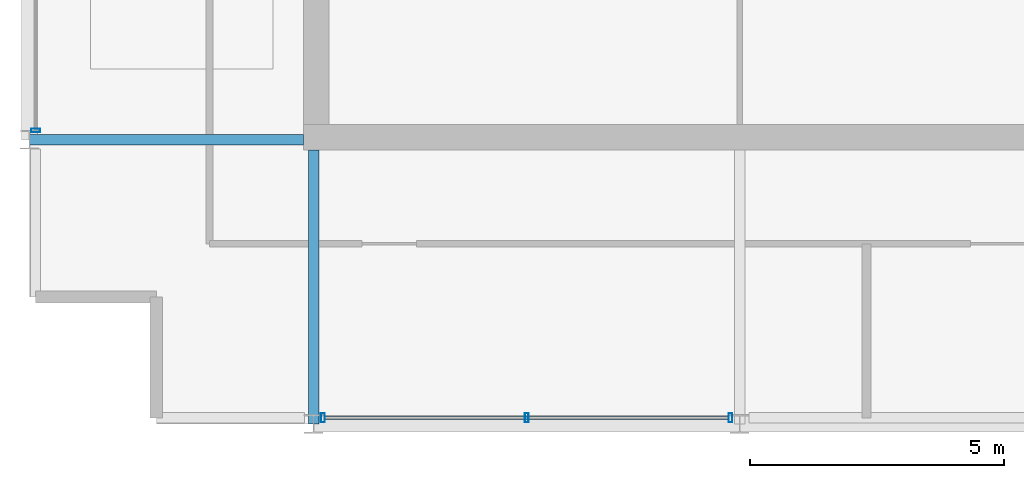
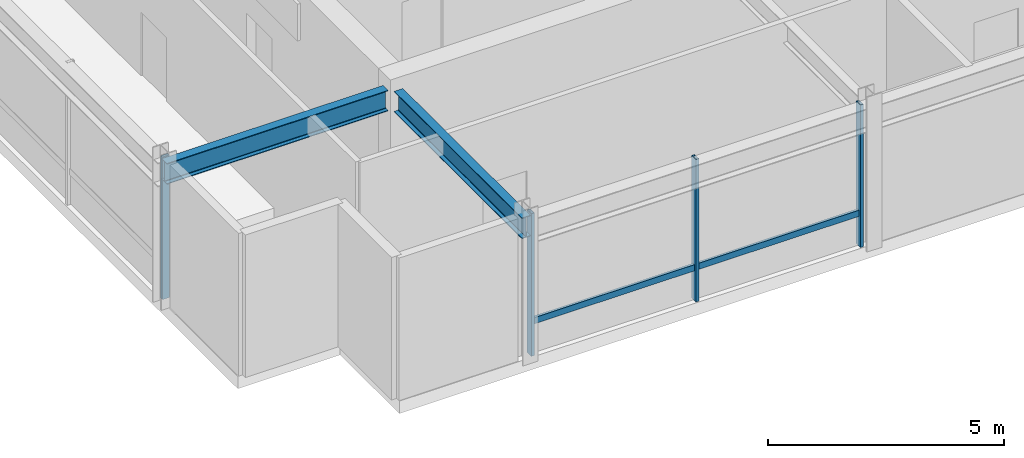
# One storey, part 2 of 12: 5 members, 2 beams, 2 elements without a shape of their own.
"""IFC4 building model written with IfcOpenShell, lengths in metres."""

from ifc_helpers import new_model, si_unit, direction, frame, origin, origin_2d, place, context, subcontext, project, spatial, hollow_rectangle, i_section, extrude, material, layer, layer_set, material_profile, profile_set, type_object, element, aggregate, save


model = new_model("IFC4")

# Units and contexts
model_context = context("Model", 3, precision=1e-05, world=origin(), true_north=direction((0.0, 1.0)))
body_context = subcontext(model_context, "Body", "Model", "MODEL_VIEW")
ifc_project = project(units=[si_unit("LENGTHUNIT", "METRE"), si_unit("AREAUNIT", "SQUARE_METRE"), si_unit("VOLUMEUNIT", "CUBIC_METRE"), si_unit("PLANEANGLEUNIT", "RADIAN"), si_unit("MASSUNIT", "GRAM", prefix="KILO")], contexts=[model_context])

# Site, building, storey
site_placement = place(None, origin())
site = spatial("IfcSite", under=ifc_project, at=site_placement, CompositionType="ELEMENT")
building_placement = place(site_placement, origin())
building = spatial("IfcBuilding", under=site, at=building_placement, Name="Drelvath Grand Hotel", CompositionType="ELEMENT")
storey_placement = place(building_placement, frame((0.0, 0.0, 315.39990234375)))
storey = spatial("IfcBuildingStorey", under=building, at=storey_placement, Name="L82", CompositionType="ELEMENT", Elevation=315.39990234375)

# Curtain wall, member
ifc_material_1 = material(Name="Pale-Metal Anodised Aluminium Crown Frame", Category="aluminium")
ifc_layer = layer(ifc_material_1, 0.199951171875)
ifc_layer_set = layer_set([ifc_layer], Name="Pale-Metal Anodised Aluminium Crown Frame")
curtain_wall_type = type_object("IfcCurtainWallType", Name="Stick Curtain Wall CW-06 Pale-Metal Crown Clerestory", PredefinedType="NOTDEFINED", material=ifc_layer_set)
curtain_wall_1_placement = place(storey_placement, origin())
curtain_wall_1 = element("IfcCurtainWall", 1, at=curtain_wall_1_placement, inside=storey, type_object=curtain_wall_type, Name="L82 CW-06 Curtain Wall CW06-L82-S", PredefinedType="NOTDEFINED")
ifc_material_profile_1 = material_profile(ifc_material_1, hollow_rectangle(XDim=0.06494140625, YDim=0.159912109375, WallThickness=0.00390625, at=origin_2d()), Name="HSS160X65X4")
ifc_profile_set_1 = profile_set([ifc_material_profile_1], Name="Pale-Metal Anodised Aluminium Crown Frame")
member_type_1 = type_object("IfcMemberType", Name="Curtain Wall Horizontal Transom CW-06 HSS160X65X4", PredefinedType="USERDEFINED", material=ifc_profile_set_1)
member_1_placement = place(storey_placement, frame((-0.222900390625, 13.1201171875, 0.85009765625), z_axis=(-1.0, 0.0, 0.0), x_axis=(0.0, -1.0, 0.0)))
member_1 = element("IfcMember", 2, at=member_1_placement, type_object=member_type_1, Name="CW06-L82-S Sill Transom", ObjectType="TRANSOM", PredefinedType="USERDEFINED", context=body_context, shape_type="SweptSolid", body=[
    extrude(hollow_rectangle(XDim=0.06494140625, YDim=0.159912109375, WallThickness=0.00390625, at=origin_2d()), origin(), (0.0, 0.0, 1.0), 7.9541015625),
])

curtain_wall_2_placement = place(storey_placement, origin())
curtain_wall_2 = element("IfcCurtainWall", 3, at=curtain_wall_2_placement, inside=storey, type_object=curtain_wall_type, Name="L82 CW-06 Curtain Wall CW06-L82-W", PredefinedType="NOTDEFINED")
ifc_material_profile_2 = material_profile(ifc_material_1, hollow_rectangle(XDim=0.074951171875, YDim=0.179931640625, WallThickness=0.0048828125, at=origin_2d()), Name="HSS180X75X5")
ifc_profile_set_2 = profile_set([ifc_material_profile_2], Name="Pale-Metal Anodised Aluminium Crown Frame")
member_type_2 = type_object("IfcMemberType", Name="Curtain Wall Vertical Mullion CW-06 HSS180X75X5", PredefinedType="MULLION", material=ifc_profile_set_2)
member_2_placement = place(storey_placement, frame((-13.8798828125, 18.7822265625, 0.0), z_axis=(0.0, 0.0, 1.0), x_axis=(0.0, 1.0, 0.0)))
member_2 = element("IfcMember", 4, at=member_2_placement, type_object=member_type_2, Name="CW06-L82-W Mullion 1", PredefinedType="MULLION", context=body_context, shape_type="SweptSolid", body=[
    extrude(hollow_rectangle(XDim=0.074951171875, YDim=0.179931640625, WallThickness=0.0048828125, at=origin_2d()), origin(), (0.0, 0.0, 1.0), 3.68017578125),
])
aggregate(curtain_wall_2, [member_2])

# Member
member_3_placement = place(storey_placement, frame((-0.18310546875, 13.1201171875, 0.0), z_axis=(0.0, 0.0, 1.0), x_axis=(1.0, 0.0, 0.0)))
member_3 = element("IfcMember", 5, at=member_3_placement, type_object=member_type_2, Name="CW06-L82-S Mullion 1", PredefinedType="MULLION", context=body_context, shape_type="SweptSolid", body=[
    extrude(hollow_rectangle(XDim=0.074951171875, YDim=0.179931640625, WallThickness=0.0048828125, at=origin_2d()), origin(), (0.0, 0.0, 1.0), 3.68017578125),
])

member_4_placement = place(storey_placement, frame((-4.199951171875, 13.1201171875, 0.0), z_axis=(0.0, 0.0, 1.0), x_axis=(1.0, 0.0, 0.0)))
member_4 = element("IfcMember", 6, at=member_4_placement, type_object=member_type_2, Name="CW06-L82-S Mullion 2", PredefinedType="MULLION", context=body_context, shape_type="SweptSolid", body=[
    extrude(hollow_rectangle(XDim=0.074951171875, YDim=0.179931640625, WallThickness=0.0048828125, at=origin_2d()), origin(), (0.0, 0.0, 1.0), 3.68017578125),
])

member_5_placement = place(storey_placement, frame((-8.217041015625, 13.1201171875, 0.0), z_axis=(0.0, 0.0, 1.0), x_axis=(1.0, 0.0, 0.0)))
member_5 = element("IfcMember", 7, at=member_5_placement, type_object=member_type_2, Name="CW06-L82-S Mullion 3", PredefinedType="MULLION", context=body_context, shape_type="SweptSolid", body=[
    extrude(hollow_rectangle(XDim=0.074951171875, YDim=0.179931640625, WallThickness=0.0048828125, at=origin_2d()), origin(), (0.0, 0.0, 1.0), 3.68017578125),
])

aggregate(curtain_wall_1, [member_3, member_4, member_5, member_1])

# Beams
ifc_material_2 = material(Name="Steel ASTM A992 Gr 50", Category="steel")
ifc_material_profile_3 = material_profile(ifc_material_2, i_section(OverallWidth=0.210205078125, OverallDepth=0.53662109375, WebThickness=0.010986328125, FlangeThickness=0.017333984375, FilletRadius=0.01806640625, at=origin_2d()), Name="W21X68")
ifc_profile_set_3 = profile_set([ifc_material_profile_3], Name="Steel ASTM A992 Gr 50")
beam_type = type_object("IfcBeamType", Name="Primary Floor Girder W21X68", PredefinedType="BEAM", material=ifc_profile_set_3)
for number, where, z_axis, x_axis, name in (
    (8, (-14.0, 18.60009765625, 3.41162109375), (1.0, 0.0, 0.0), (0.0, 1.0, 0.0), "L82 Crown Drum Tie West D"),
    (9, (-8.39990234375, 13.0, 3.41162109375), (0.0, 1.0, 0.0), (-1.0, 0.0, 0.0), "L82 Crown Drum Tie South 4"),
):
    element("IfcBeam", number, at=place(storey_placement, frame(where, z_axis=z_axis, x_axis=x_axis)), inside=storey, type_object=beam_type, Name=name, PredefinedType="BEAM", context=body_context, shape_type="SweptSolid", body=[
        extrude(i_section(OverallWidth=0.210205078125, OverallDepth=0.53662109375, WebThickness=0.010986328125, FlangeThickness=0.017333984375, FilletRadius=0.01806640625, at=origin_2d()), origin(), (0.0, 0.0, 1.0), 5.39990234375),
    ])

save(model, "model.ifc")
